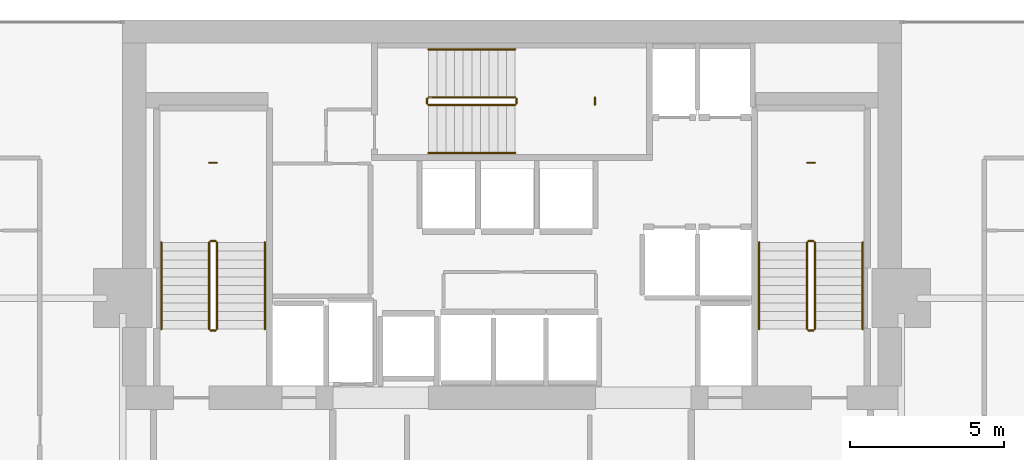
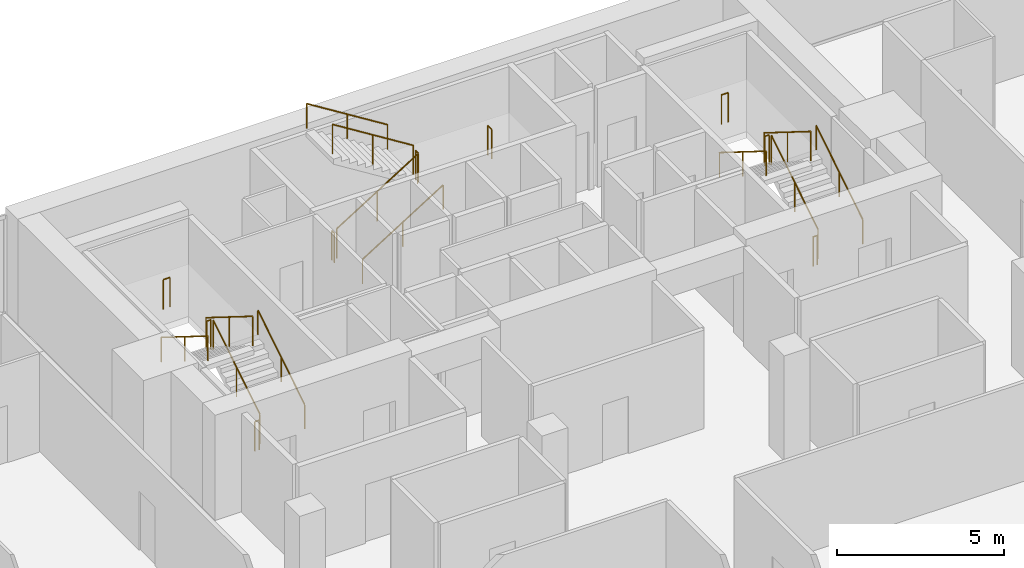
# One storey, part 32 of 32: 21 railings.
"""IFC4 building model written with IfcOpenShell, lengths in metres."""

from ifc_helpers import new_model, si_unit, direction, frame, origin, origin_2d, place, context, subcontext, project, spatial, circle, extrude, material, type_object, element, save


model = new_model("IFC4")

# Units and contexts
model_context = context("Model", 3, precision=1e-05, world=origin(), true_north=direction((0.0, 1.0)))
body_context = subcontext(model_context, "Body", "Model", "MODEL_VIEW")
ifc_project = project(units=[si_unit("LENGTHUNIT", "METRE"), si_unit("AREAUNIT", "SQUARE_METRE"), si_unit("VOLUMEUNIT", "CUBIC_METRE"), si_unit("PLANEANGLEUNIT", "RADIAN"), si_unit("MASSUNIT", "GRAM", prefix="KILO")], contexts=[model_context])

# Site, building, storey
site_placement = place(None, origin())
site = spatial("IfcSite", under=ifc_project, at=site_placement, CompositionType="ELEMENT")
building_placement = place(site_placement, origin())
building = spatial("IfcBuilding", under=site, at=building_placement, Name="Maruvema Waterfront Hotel and Observation Tower", CompositionType="ELEMENT")
storey_placement = place(building_placement, frame((0.0, 0.0, 219.800048828125)))
storey = spatial("IfcBuildingStorey", under=building, at=storey_placement, Name="L54", CompositionType="ELEMENT", Elevation=219.800048828125)

# Railings
ifc_material_1 = material(Name="Brushed stainless steel Grade 316", Category="steel")
railing_type_1 = type_object("IfcRailingType", Name="Ramp Continuous Wall Handrail 920 mm", PredefinedType="HANDRAIL", material=ifc_material_1)
railing_1_placement = place(storey_placement, frame((29.800048828125, 44.0, 0.175048828125)))
element("IfcRailing", 1, at=railing_1_placement, inside=storey, type_object=railing_type_1, Name="L54 ST-01 stair handrail 1", PredefinedType="HANDRAIL", context=body_context, shape_type="SweptSolid", body=[
    extrude(circle(Radius=0.02392578125, at=origin_2d()), frame((0.0, 0.0, 0.89599609375), z_axis=(0.0, 0.848002457836, 0.529992293815), x_axis=(-1.0, 0.0, 0.0)), (0.0, 0.0, 1.0), 3.302001953125),
    extrude(circle(Radius=0.02099609375, at=origin_2d()), origin(), (0.0, 0.0, 1.0), 0.871826171875),
    extrude(circle(Radius=0.02099609375, at=origin_2d()), frame((0.0, 1.39990234375, 0.875)), (0.0, 0.0, 1.0), 0.871826171875),
    extrude(circle(Radius=0.02099609375, at=origin_2d()), frame((0.0, 2.800048828125, 1.75)), (0.0, 0.0, 1.0), 0.871826171875),
])
railing_2_placement = place(storey_placement, frame((26.449951171875, 46.800048828125, 2.099853515625)))
element("IfcRailing", 2, at=railing_2_placement, inside=storey, type_object=railing_type_1, Name="L54 ST-01 stair handrail 2", PredefinedType="HANDRAIL", context=body_context, shape_type="SweptSolid", body=[
    extrude(circle(Radius=0.02392578125, at=origin_2d()), frame((0.0, 0.0, 0.89599609375), z_axis=(0.0, -0.848002457836, 0.529992293815), x_axis=(1.0, 0.0, 0.0)), (0.0, 0.0, 1.0), 3.302001953125),
    extrude(circle(Radius=0.02099609375, at=origin_2d()), origin(), (0.0, 0.0, 1.0), 0.871826171875),
    extrude(circle(Radius=0.02099609375, at=origin_2d()), frame((0.0, -1.39990234375, 0.875)), (0.0, 0.0, 1.0), 0.871826171875),
    extrude(circle(Radius=0.02099609375, at=origin_2d()), frame((0.0, -2.800048828125, 1.75)), (0.0, 0.0, 1.0), 0.871826171875),
])
railing_3_placement = place(storey_placement, frame((35.10009765625, 49.699951171875, 0.175048828125)))
element("IfcRailing", 3, at=railing_3_placement, inside=storey, type_object=railing_type_1, Name="L54 ST-02 stair handrail 1", PredefinedType="HANDRAIL", context=body_context, shape_type="SweptSolid", body=[
    extrude(circle(Radius=0.02392578125, at=origin_2d()), frame((0.0, 0.0, 0.89599609375), z_axis=(0.847981687118, 0.0, 0.530025526095), x_axis=(0.0, 1.0, 0.0)), (0.0, 0.0, 1.0), 3.3017578125),
    extrude(circle(Radius=0.02099609375, at=origin_2d()), origin(), (0.0, 0.0, 1.0), 0.871826171875),
    extrude(circle(Radius=0.02099609375, at=origin_2d()), frame((1.39990234375, 0.0, 0.875)), (0.0, 0.0, 1.0), 0.871826171875),
    extrude(circle(Radius=0.02099609375, at=origin_2d()), frame((2.7998046875, 0.0, 1.75)), (0.0, 0.0, 1.0), 0.871826171875),
])
railing_4_placement = place(storey_placement, frame((37.89990234375, 53.050048828125, 2.099853515625)))
element("IfcRailing", 4, at=railing_4_placement, inside=storey, type_object=railing_type_1, Name="L54 ST-02 stair handrail 2", PredefinedType="HANDRAIL", context=body_context, shape_type="SweptSolid", body=[
    extrude(circle(Radius=0.02392578125, at=origin_2d()), frame((0.0, 0.0, 0.89599609375), z_axis=(-0.847981687118, 0.0, 0.530025526095), x_axis=(0.0, -1.0, 0.0)), (0.0, 0.0, 1.0), 3.3017578125),
    extrude(circle(Radius=0.02099609375, at=origin_2d()), origin(), (0.0, 0.0, 1.0), 0.871826171875),
    extrude(circle(Radius=0.02099609375, at=origin_2d()), frame((-1.39990234375, 0.0, 0.875)), (0.0, 0.0, 1.0), 0.871826171875),
    extrude(circle(Radius=0.02099609375, at=origin_2d()), frame((-2.7998046875, 0.0, 1.75)), (0.0, 0.0, 1.0), 0.871826171875),
])
railing_5_placement = place(storey_placement, frame((49.14990234375, 44.0, 0.175048828125)))
element("IfcRailing", 5, at=railing_5_placement, inside=storey, type_object=railing_type_1, Name="L54 ST-03 stair handrail 1", PredefinedType="HANDRAIL", context=body_context, shape_type="SweptSolid", body=[
    extrude(circle(Radius=0.02392578125, at=origin_2d()), frame((0.0, 0.0, 0.89599609375), z_axis=(0.0, 0.848002457836, 0.529992293815), x_axis=(-1.0, 0.0, 0.0)), (0.0, 0.0, 1.0), 3.302001953125),
    extrude(circle(Radius=0.02099609375, at=origin_2d()), origin(), (0.0, 0.0, 1.0), 0.871826171875),
    extrude(circle(Radius=0.02099609375, at=origin_2d()), frame((0.0, 1.39990234375, 0.875)), (0.0, 0.0, 1.0), 0.871826171875),
    extrude(circle(Radius=0.02099609375, at=origin_2d()), frame((0.0, 2.800048828125, 1.75)), (0.0, 0.0, 1.0), 0.871826171875),
])
railing_6_placement = place(storey_placement, frame((45.800048828125, 46.800048828125, 2.099853515625)))
element("IfcRailing", 6, at=railing_6_placement, inside=storey, type_object=railing_type_1, Name="L54 ST-03 stair handrail 2", PredefinedType="HANDRAIL", context=body_context, shape_type="SweptSolid", body=[
    extrude(circle(Radius=0.02392578125, at=origin_2d()), frame((0.0, 0.0, 0.89599609375), z_axis=(0.0, -0.848002457836, 0.529992293815), x_axis=(1.0, 0.0, 0.0)), (0.0, 0.0, 1.0), 3.302001953125),
    extrude(circle(Radius=0.02099609375, at=origin_2d()), origin(), (0.0, 0.0, 1.0), 0.871826171875),
    extrude(circle(Radius=0.02099609375, at=origin_2d()), frame((0.0, -1.39990234375, 0.875)), (0.0, 0.0, 1.0), 0.871826171875),
    extrude(circle(Radius=0.02099609375, at=origin_2d()), frame((0.0, -2.800048828125, 1.75)), (0.0, 0.0, 1.0), 0.871826171875),
])
ifc_material_2 = material(Name="Brushed stainless steel Grade 316", Category="steel")
railing_type_2 = type_object("IfcRailingType", Name="Ramp and Terrace Guard Balustrade 1100 mm", PredefinedType="BALUSTRADE", material=ifc_material_2)
railing_7_placement = place(storey_placement, frame((28.25, 44.0, 0.175048828125)))
element("IfcRailing", 7, at=railing_7_placement, inside=storey, type_object=railing_type_2, Name="L54 ST-01 stair guard 1", PredefinedType="BALUSTRADE", context=body_context, shape_type="SweptSolid", body=[
    extrude(circle(Radius=0.02392578125, at=origin_2d()), frame((0.0, 0.0, 1.076171875), z_axis=(0.0, 0.848002457836, 0.529992293815), x_axis=(-1.0, 0.0, 0.0)), (0.0, 0.0, 1.0), 3.302001953125),
    extrude(circle(Radius=0.02099609375, at=origin_2d()), origin(), (0.0, 0.0, 1.0), 1.052001953125),
    extrude(circle(Radius=0.02099609375, at=origin_2d()), frame((0.0, 1.39990234375, 0.875)), (0.0, 0.0, 1.0), 1.052001953125),
    extrude(circle(Radius=0.02099609375, at=origin_2d()), frame((0.0, 2.800048828125, 1.75)), (0.0, 0.0, 1.0), 1.052001953125),
])
railing_8_placement = place(storey_placement, frame((28.199951171875, 46.85009765625, 1.925048828125)))
element("IfcRailing", 8, at=railing_8_placement, inside=storey, type_object=railing_type_2, Name="L54 ST-01 stair guard 2", PredefinedType="BALUSTRADE", context=body_context, shape_type="SweptSolid", body=[
    extrude(circle(Radius=0.02392578125, at=origin_2d()), frame((0.0, 0.0, 1.076171875), z_axis=(-1.0, 0.0, 0.0), x_axis=(0.0, -1.0, 0.0)), (0.0, 0.0, 1.0), 0.14990234375),
    extrude(circle(Radius=0.02099609375, at=origin_2d()), origin(), (0.0, 0.0, 1.0), 1.052001953125),
    extrude(circle(Radius=0.02099609375, at=origin_2d()), frame((-0.14990234375, 0.0, 0.0)), (0.0, 0.0, 1.0), 1.052001953125),
])
railing_9_placement = place(storey_placement, frame((28.0, 46.800048828125, 2.099853515625)))
element("IfcRailing", 9, at=railing_9_placement, inside=storey, type_object=railing_type_2, Name="L54 ST-01 stair guard 3", PredefinedType="BALUSTRADE", context=body_context, shape_type="SweptSolid", body=[
    extrude(circle(Radius=0.02392578125, at=origin_2d()), frame((0.0, 0.0, 1.076171875), z_axis=(0.0, -0.848002457836, 0.529992293815), x_axis=(1.0, 0.0, 0.0)), (0.0, 0.0, 1.0), 3.302001953125),
    extrude(circle(Radius=0.02099609375, at=origin_2d()), origin(), (0.0, 0.0, 1.0), 1.052001953125),
    extrude(circle(Radius=0.02099609375, at=origin_2d()), frame((0.0, -1.39990234375, 0.875)), (0.0, 0.0, 1.0), 1.052001953125),
    extrude(circle(Radius=0.02099609375, at=origin_2d()), frame((0.0, -2.800048828125, 1.75)), (0.0, 0.0, 1.0), 1.052001953125),
])
railing_10_placement = place(storey_placement, frame((28.199951171875, 43.949951171875, 0.0)))
element("IfcRailing", 10, at=railing_10_placement, inside=storey, type_object=railing_type_2, Name="L54 ST-01 stair guard 4", PredefinedType="BALUSTRADE", context=body_context, shape_type="SweptSolid", body=[
    extrude(circle(Radius=0.02392578125, at=origin_2d()), frame((0.0, 0.0, 1.076171875), z_axis=(-1.0, 0.0, 0.0), x_axis=(0.0, -1.0, 0.0)), (0.0, 0.0, 1.0), 0.14990234375),
    extrude(circle(Radius=0.02099609375, at=origin_2d()), origin(), (0.0, 0.0, 1.0), 1.052001953125),
    extrude(circle(Radius=0.02099609375, at=origin_2d()), frame((-0.14990234375, 0.0, 0.0)), (0.0, 0.0, 1.0), 1.052001953125),
])
railing_11_placement = place(storey_placement, frame((28.239990234375, 49.3798828125, 1.925048828125)))
element("IfcRailing", 11, at=railing_11_placement, inside=storey, type_object=railing_type_2, Name="L54 ST-01 Half-Landing Slot Guard", PredefinedType="BALUSTRADE", context=body_context, shape_type="SweptSolid", body=[
    extrude(circle(Radius=0.02392578125, at=origin_2d()), frame((0.0, 0.0, 1.076171875), z_axis=(-1.0, 0.0, 0.0), x_axis=(0.0, -1.0, 0.0)), (0.0, 0.0, 1.0), 0.22998046875),
    extrude(circle(Radius=0.02099609375, at=origin_2d()), origin(), (0.0, 0.0, 1.0), 1.052001953125),
    extrude(circle(Radius=0.02099609375, at=origin_2d()), frame((-0.22998046875, 0.0, 0.0)), (0.0, 0.0, 1.0), 1.052001953125),
])
railing_12_placement = place(storey_placement, frame((35.10009765625, 51.25, 0.175048828125)))
element("IfcRailing", 12, at=railing_12_placement, inside=storey, type_object=railing_type_2, Name="L54 ST-02 stair guard 1", PredefinedType="BALUSTRADE", context=body_context, shape_type="SweptSolid", body=[
    extrude(circle(Radius=0.02392578125, at=origin_2d()), frame((0.0, 0.0, 1.076171875), z_axis=(0.847981687118, 0.0, 0.530025526095), x_axis=(0.0, 1.0, 0.0)), (0.0, 0.0, 1.0), 3.3017578125),
    extrude(circle(Radius=0.02099609375, at=origin_2d()), origin(), (0.0, 0.0, 1.0), 1.052001953125),
    extrude(circle(Radius=0.02099609375, at=origin_2d()), frame((1.39990234375, 0.0, 0.875)), (0.0, 0.0, 1.0), 1.052001953125),
    extrude(circle(Radius=0.02099609375, at=origin_2d()), frame((2.7998046875, 0.0, 1.75)), (0.0, 0.0, 1.0), 1.052001953125),
])
railing_13_placement = place(storey_placement, frame((37.949951171875, 51.300048828125, 1.925048828125)))
element("IfcRailing", 13, at=railing_13_placement, inside=storey, type_object=railing_type_2, Name="L54 ST-02 stair guard 2", PredefinedType="BALUSTRADE", context=body_context, shape_type="SweptSolid", body=[
    extrude(circle(Radius=0.02392578125, at=origin_2d()), frame((0.0, 0.0, 1.076171875), z_axis=(0.0, 1.0, 0.0), x_axis=(-1.0, 0.0, 0.0)), (0.0, 0.0, 1.0), 0.14990234375),
    extrude(circle(Radius=0.02099609375, at=origin_2d()), origin(), (0.0, 0.0, 1.0), 1.052001953125),
    extrude(circle(Radius=0.02099609375, at=origin_2d()), frame((0.0, 0.14990234375, 0.0)), (0.0, 0.0, 1.0), 1.052001953125),
])
railing_14_placement = place(storey_placement, frame((37.89990234375, 51.5, 2.099853515625)))
element("IfcRailing", 14, at=railing_14_placement, inside=storey, type_object=railing_type_2, Name="L54 ST-02 stair guard 3", PredefinedType="BALUSTRADE", context=body_context, shape_type="SweptSolid", body=[
    extrude(circle(Radius=0.02392578125, at=origin_2d()), frame((0.0, 0.0, 1.076171875), z_axis=(-0.847981687118, 0.0, 0.530025526095), x_axis=(0.0, -1.0, 0.0)), (0.0, 0.0, 1.0), 3.3017578125),
    extrude(circle(Radius=0.02099609375, at=origin_2d()), origin(), (0.0, 0.0, 1.0), 1.052001953125),
    extrude(circle(Radius=0.02099609375, at=origin_2d()), frame((-1.39990234375, 0.0, 0.875)), (0.0, 0.0, 1.0), 1.052001953125),
    extrude(circle(Radius=0.02099609375, at=origin_2d()), frame((-2.7998046875, 0.0, 1.75)), (0.0, 0.0, 1.0), 1.052001953125),
])
railing_15_placement = place(storey_placement, frame((35.050048828125, 51.300048828125, 0.0)))
element("IfcRailing", 15, at=railing_15_placement, inside=storey, type_object=railing_type_2, Name="L54 ST-02 stair guard 4", PredefinedType="BALUSTRADE", context=body_context, shape_type="SweptSolid", body=[
    extrude(circle(Radius=0.02392578125, at=origin_2d()), frame((0.0, 0.0, 1.076171875), z_axis=(0.0, 1.0, 0.0), x_axis=(-1.0, 0.0, 0.0)), (0.0, 0.0, 1.0), 0.14990234375),
    extrude(circle(Radius=0.02099609375, at=origin_2d()), origin(), (0.0, 0.0, 1.0), 1.052001953125),
    extrude(circle(Radius=0.02099609375, at=origin_2d()), frame((0.0, 0.14990234375, 0.0)), (0.0, 0.0, 1.0), 1.052001953125),
])
railing_16_placement = place(storey_placement, frame((40.47998046875, 51.260009765625, 1.925048828125)))
element("IfcRailing", 16, at=railing_16_placement, inside=storey, type_object=railing_type_2, Name="L54 ST-02 Half-Landing Slot Guard", PredefinedType="BALUSTRADE", context=body_context, shape_type="SweptSolid", body=[
    extrude(circle(Radius=0.02392578125, at=origin_2d()), frame((0.0, 0.0, 1.076171875), z_axis=(0.0, 1.0, 0.0), x_axis=(-1.0, 0.0, 0.0)), (0.0, 0.0, 1.0), 0.22998046875),
    extrude(circle(Radius=0.02099609375, at=origin_2d()), origin(), (0.0, 0.0, 1.0), 1.052001953125),
    extrude(circle(Radius=0.02099609375, at=origin_2d()), frame((0.0, 0.22998046875, 0.0)), (0.0, 0.0, 1.0), 1.052001953125),
])
railing_17_placement = place(storey_placement, frame((47.60009765625, 44.0, 0.175048828125)))
element("IfcRailing", 17, at=railing_17_placement, inside=storey, type_object=railing_type_2, Name="L54 ST-03 stair guard 1", PredefinedType="BALUSTRADE", context=body_context, shape_type="SweptSolid", body=[
    extrude(circle(Radius=0.02392578125, at=origin_2d()), frame((0.0, 0.0, 1.076171875), z_axis=(0.0, 0.848002457836, 0.529992293815), x_axis=(-1.0, 0.0, 0.0)), (0.0, 0.0, 1.0), 3.302001953125),
    extrude(circle(Radius=0.02099609375, at=origin_2d()), origin(), (0.0, 0.0, 1.0), 1.052001953125),
    extrude(circle(Radius=0.02099609375, at=origin_2d()), frame((0.0, 1.39990234375, 0.875)), (0.0, 0.0, 1.0), 1.052001953125),
    extrude(circle(Radius=0.02099609375, at=origin_2d()), frame((0.0, 2.800048828125, 1.75)), (0.0, 0.0, 1.0), 1.052001953125),
])
railing_18_placement = place(storey_placement, frame((47.550048828125, 46.85009765625, 1.925048828125)))
element("IfcRailing", 18, at=railing_18_placement, inside=storey, type_object=railing_type_2, Name="L54 ST-03 stair guard 2", PredefinedType="BALUSTRADE", context=body_context, shape_type="SweptSolid", body=[
    extrude(circle(Radius=0.02392578125, at=origin_2d()), frame((0.0, 0.0, 1.076171875), z_axis=(-1.0, 0.0, 0.0), x_axis=(0.0, -1.0, 0.0)), (0.0, 0.0, 1.0), 0.150146484375),
    extrude(circle(Radius=0.02099609375, at=origin_2d()), origin(), (0.0, 0.0, 1.0), 1.052001953125),
    extrude(circle(Radius=0.02099609375, at=origin_2d()), frame((-0.150146484375, 0.0, 0.0)), (0.0, 0.0, 1.0), 1.052001953125),
])
railing_19_placement = place(storey_placement, frame((47.35009765625, 46.800048828125, 2.099853515625)))
element("IfcRailing", 19, at=railing_19_placement, inside=storey, type_object=railing_type_2, Name="L54 ST-03 stair guard 3", PredefinedType="BALUSTRADE", context=body_context, shape_type="SweptSolid", body=[
    extrude(circle(Radius=0.02392578125, at=origin_2d()), frame((0.0, 0.0, 1.076171875), z_axis=(0.0, -0.848002457836, 0.529992293815), x_axis=(1.0, 0.0, 0.0)), (0.0, 0.0, 1.0), 3.302001953125),
    extrude(circle(Radius=0.02099609375, at=origin_2d()), origin(), (0.0, 0.0, 1.0), 1.052001953125),
    extrude(circle(Radius=0.02099609375, at=origin_2d()), frame((0.0, -1.39990234375, 0.875)), (0.0, 0.0, 1.0), 1.052001953125),
    extrude(circle(Radius=0.02099609375, at=origin_2d()), frame((0.0, -2.800048828125, 1.75)), (0.0, 0.0, 1.0), 1.052001953125),
])
railing_20_placement = place(storey_placement, frame((47.550048828125, 43.949951171875, 0.0)))
element("IfcRailing", 20, at=railing_20_placement, inside=storey, type_object=railing_type_2, Name="L54 ST-03 stair guard 4", PredefinedType="BALUSTRADE", context=body_context, shape_type="SweptSolid", body=[
    extrude(circle(Radius=0.02392578125, at=origin_2d()), frame((0.0, 0.0, 1.076171875), z_axis=(-1.0, 0.0, 0.0), x_axis=(0.0, -1.0, 0.0)), (0.0, 0.0, 1.0), 0.150146484375),
    extrude(circle(Radius=0.02099609375, at=origin_2d()), origin(), (0.0, 0.0, 1.0), 1.052001953125),
    extrude(circle(Radius=0.02099609375, at=origin_2d()), frame((-0.150146484375, 0.0, 0.0)), (0.0, 0.0, 1.0), 1.052001953125),
])
railing_21_placement = place(storey_placement, frame((47.590087890625, 49.3798828125, 1.925048828125)))
element("IfcRailing", 21, at=railing_21_placement, inside=storey, type_object=railing_type_2, Name="L54 ST-03 Half-Landing Slot Guard", PredefinedType="BALUSTRADE", context=body_context, shape_type="SweptSolid", body=[
    extrude(circle(Radius=0.02392578125, at=origin_2d()), frame((0.0, 0.0, 1.076171875), z_axis=(-1.0, 0.0, 0.0), x_axis=(0.0, -1.0, 0.0)), (0.0, 0.0, 1.0), 0.22998046875),
    extrude(circle(Radius=0.02099609375, at=origin_2d()), origin(), (0.0, 0.0, 1.0), 1.052001953125),
    extrude(circle(Radius=0.02099609375, at=origin_2d()), frame((-0.22998046875, 0.0, 0.0)), (0.0, 0.0, 1.0), 1.052001953125),
])

save(model, "model.ifc")
